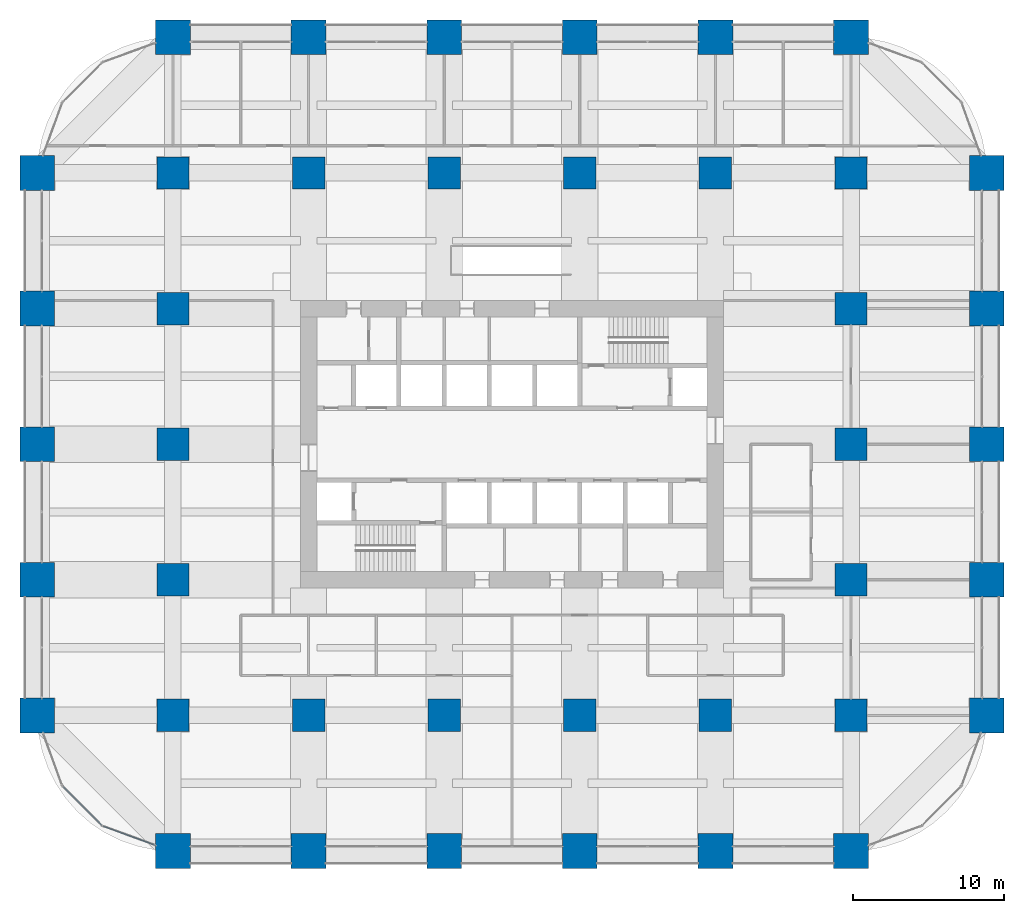
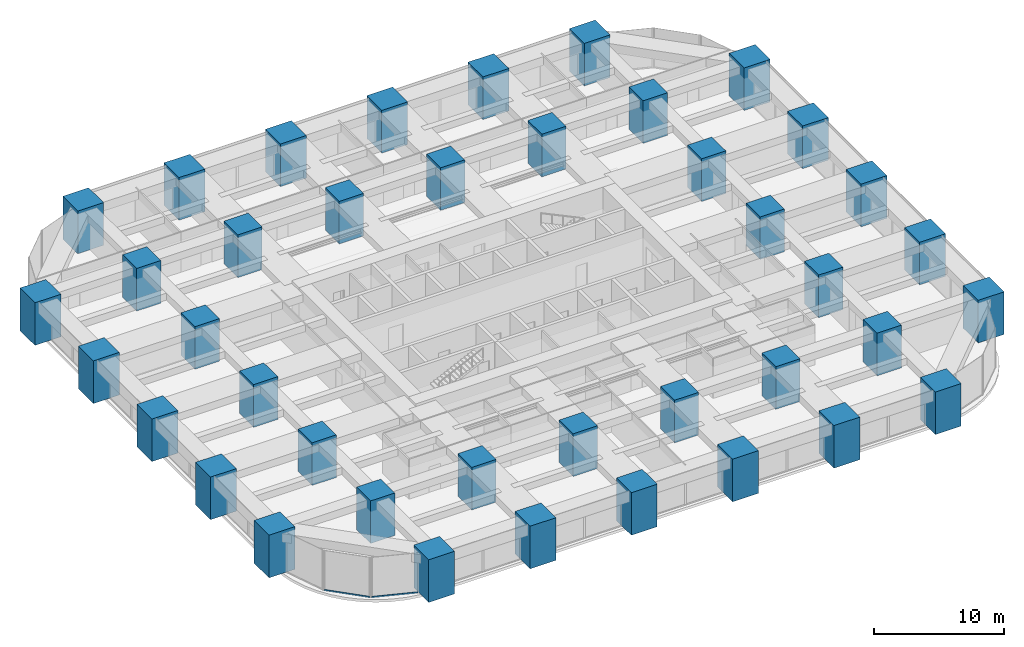
# One storey, part 1 of 44: 40 columns, 2 members, 2 elements without a shape of their own.
"""IFC4 building model written with IfcOpenShell, lengths in metres."""

from ifc_helpers import new_model, si_unit, direction, frame, origin, origin_2d, place, context, subcontext, project, spatial, rectangle, hollow_rectangle, extrude, material, material_profile, profile_set, type_object, element, aggregate, save


model = new_model("IFC4")

# Units and contexts
model_context = context("Model", 3, precision=1e-05, world=origin(), true_north=direction((0.0, 1.0)))
body_context = subcontext(model_context, "Body", "Model", "MODEL_VIEW")
ifc_project = project(units=[si_unit("LENGTHUNIT", "METRE"), si_unit("AREAUNIT", "SQUARE_METRE"), si_unit("VOLUMEUNIT", "CUBIC_METRE"), si_unit("PLANEANGLEUNIT", "RADIAN"), si_unit("MASSUNIT", "GRAM", prefix="KILO")], contexts=[model_context])

# Site, building, storey
site_placement = place(None, origin())
site = spatial("IfcSite", under=ifc_project, at=site_placement, CompositionType="ELEMENT")
building_placement = place(site_placement, origin())
building = spatial("IfcBuilding", under=site, at=building_placement, Name="Zorevar Civic Tower", CompositionType="ELEMENT")
storey_placement = place(building_placement, frame((0.0, 0.0, 63.800048828125)))
storey = spatial("IfcBuildingStorey", under=building, at=storey_placement, Name="L15", CompositionType="ELEMENT", Elevation=63.800048828125)

# Columns
ifc_material_1 = material(Name="Concrete C50/60", Category="concrete")
ifc_material_profile_1 = material_profile(ifc_material_1, rectangle(XDim=2.14990234375, YDim=2.14990234375, at=origin_2d()), Name="RC 2150x2150")
ifc_profile_set_1 = profile_set([ifc_material_profile_1], Name="Concrete C50/60")
column_type_1 = type_object("IfcColumnType", Name="Column RC 2150x2150", PredefinedType="COLUMN", material=ifc_profile_set_1)
for number, where, z_axis, x_axis, name in (
    (1, (9.0, 9.0, 0.0), (0.0, 0.0, 1.0), (1.0, 0.0, 0.0), "Column 3B L15"),
    (2, (9.0, 18.0, 0.0), (0.0, 0.0, 1.0), (1.0, 0.0, 0.0), "Column 3C L15"),
    (3, (9.0, 27.0, 0.0), (0.0, 0.0, 1.0), (1.0, 0.0, 0.0), "Column 3D L15"),
    (4, (9.0, 36.0, 0.0), (0.0, 0.0, 1.0), (1.0, 0.0, 0.0), "Column 3E L15"),
    (5, (9.0, 45.0, 0.0), (0.0, 0.0, 1.0), (1.0, 0.0, 0.0), "Column 3F L15"),
    (6, (18.0, 9.0, 0.0), (0.0, 0.0, 1.0), (1.0, 0.0, 0.0), "Column 4B L15"),
    (7, (18.0, 45.0, 0.0), (0.0, 0.0, 1.0), (1.0, 0.0, 0.0), "Column 4F L15"),
    (8, (27.0, 9.0, 0.0), (0.0, 0.0, 1.0), (1.0, 0.0, 0.0), "Column 5B L15"),
    (9, (27.0, 45.0, 0.0), (0.0, 0.0, 1.0), (1.0, 0.0, 0.0), "Column 5F L15"),
    (10, (36.0, 9.0, 0.0), (0.0, 0.0, 1.0), (1.0, 0.0, 0.0), "Column 6B L15"),
    (11, (36.0, 45.0, 0.0), (0.0, 0.0, 1.0), (1.0, 0.0, 0.0), "Column 6F L15"),
    (12, (45.0, 9.0, 0.0), (0.0, 0.0, 1.0), (1.0, 0.0, 0.0), "Column 7B L15"),
    (13, (45.0, 45.0, 0.0), (0.0, 0.0, 1.0), (1.0, 0.0, 0.0), "Column 7F L15"),
    (14, (54.0, 9.0, 0.0), (0.0, 0.0, 1.0), (1.0, 0.0, 0.0), "Column 8B L15"),
    (15, (54.0, 18.0, 0.0), (0.0, 0.0, 1.0), (1.0, 0.0, 0.0), "Column 8C L15"),
    (16, (54.0, 27.0, 0.0), (0.0, 0.0, 1.0), (1.0, 0.0, 0.0), "Column 8D L15"),
    (17, (54.0, 36.0, 0.0), (0.0, 0.0, 1.0), (1.0, 0.0, 0.0), "Column 8E L15"),
    (18, (54.0, 45.0, 0.0), (0.0, 0.0, 1.0), (1.0, 0.0, 0.0), "Column 8F L15"),
):
    element("IfcColumn", number, at=place(storey_placement, frame(where, z_axis=z_axis, x_axis=x_axis)), inside=storey, type_object=column_type_1, Name=name, PredefinedType="COLUMN", context=body_context, shape_type="SweptSolid", body=[
        extrude(rectangle(XDim=2.14990234375, YDim=2.14990234375, at=origin_2d()), origin(), (0.0, 0.0, 1.0), 4.0),
    ])
ifc_material_2 = material(Name="Concrete C50/60", Category="concrete")
ifc_material_profile_2 = material_profile(ifc_material_2, rectangle(XDim=2.300048828125, YDim=2.300048828125, at=origin_2d()), Name="RC 2300x2300")
ifc_profile_set_2 = profile_set([ifc_material_profile_2], Name="Concrete C50/60")
column_type_2 = type_object("IfcColumnType", Name="Column RC 2300x2300", PredefinedType="COLUMN", material=ifc_profile_set_2)
for number, where, z_axis, x_axis, name in (
    (19, (0.0, 9.0, 0.0), (0.0, 0.0, 1.0), (1.0, 0.0, 0.0), "Column 2B L15"),
    (20, (0.0, 18.0, 0.0), (0.0, 0.0, 1.0), (1.0, 0.0, 0.0), "Column 2C L15"),
    (21, (0.0, 27.0, 0.0), (0.0, 0.0, 1.0), (1.0, 0.0, 0.0), "Column 2D L15"),
    (22, (0.0, 36.0, 0.0), (0.0, 0.0, 1.0), (1.0, 0.0, 0.0), "Column 2E L15"),
    (23, (0.0, 45.0, 0.0), (0.0, 0.0, 1.0), (1.0, 0.0, 0.0), "Column 2F L15"),
    (24, (9.0, 0.0, 0.0), (0.0, 0.0, 1.0), (1.0, 0.0, 0.0), "Column 3A L15"),
    (25, (9.0, 54.0, 0.0), (0.0, 0.0, 1.0), (1.0, 0.0, 0.0), "Column 3G L15"),
    (26, (18.0, 0.0, 0.0), (0.0, 0.0, 1.0), (1.0, 0.0, 0.0), "Column 4A L15"),
    (27, (18.0, 54.0, 0.0), (0.0, 0.0, 1.0), (1.0, 0.0, 0.0), "Column 4G L15"),
    (28, (27.0, 0.0, 0.0), (0.0, 0.0, 1.0), (1.0, 0.0, 0.0), "Column 5A L15"),
    (29, (27.0, 54.0, 0.0), (0.0, 0.0, 1.0), (1.0, 0.0, 0.0), "Column 5G L15"),
    (30, (36.0, 0.0, 0.0), (0.0, 0.0, 1.0), (1.0, 0.0, 0.0), "Column 6A L15"),
    (31, (36.0, 54.0, 0.0), (0.0, 0.0, 1.0), (1.0, 0.0, 0.0), "Column 6G L15"),
    (32, (45.0, 0.0, 0.0), (0.0, 0.0, 1.0), (1.0, 0.0, 0.0), "Column 7A L15"),
    (33, (45.0, 54.0, 0.0), (0.0, 0.0, 1.0), (1.0, 0.0, 0.0), "Column 7G L15"),
    (34, (54.0, 0.0, 0.0), (0.0, 0.0, 1.0), (1.0, 0.0, 0.0), "Column 8A L15"),
    (35, (54.0, 54.0, 0.0), (0.0, 0.0, 1.0), (1.0, 0.0, 0.0), "Column 8G L15"),
    (36, (63.0, 9.0, 0.0), (0.0, 0.0, 1.0), (1.0, 0.0, 0.0), "Column 9B L15"),
    (37, (63.0, 18.0, 0.0), (0.0, 0.0, 1.0), (1.0, 0.0, 0.0), "Column 9C L15"),
    (38, (63.0, 27.0, 0.0), (0.0, 0.0, 1.0), (1.0, 0.0, 0.0), "Column 9D L15"),
    (39, (63.0, 36.0, 0.0), (0.0, 0.0, 1.0), (1.0, 0.0, 0.0), "Column 9E L15"),
    (40, (63.0, 45.0, 0.0), (0.0, 0.0, 1.0), (1.0, 0.0, 0.0), "Column 9F L15"),
):
    element("IfcColumn", number, at=place(storey_placement, frame(where, z_axis=z_axis, x_axis=x_axis)), inside=storey, type_object=column_type_2, Name=name, PredefinedType="COLUMN", context=body_context, shape_type="SweptSolid", body=[
        extrude(rectangle(XDim=2.300048828125, YDim=2.300048828125, at=origin_2d()), origin(), (0.0, 0.0, 1.0), 4.0),
    ])

# Curtain wall, member
ifc_material_3 = material(Name="Dark grey solar-control glass in black aluminium frame", Category="aluminium")
curtain_wall_type = type_object("IfcCurtainWallType", Name="Curtain wall CW2 low zone", PredefinedType="NOTDEFINED", material=ifc_material_3)
curtain_wall_1_placement = place(storey_placement, origin())
curtain_wall_1 = element("IfcCurtainWall", 41, at=curtain_wall_1_placement, inside=storey, type_object=curtain_wall_type, Name="CW2 L15", PredefinedType="NOTDEFINED")
ifc_material_4 = material(Name="Aluminium, black anodised", Category="aluminium")
ifc_material_profile_3 = material_profile(ifc_material_4, hollow_rectangle(XDim=0.06005859375, YDim=0.14990234375, WallThickness=0.00390625, at=origin_2d()), Name="AL 150x60x4")
ifc_profile_set_3 = profile_set([ifc_material_profile_3], Name="Aluminium, black anodised")
member_type = type_object("IfcMemberType", Name="CW2 transom AL 150x60x4", PredefinedType="USERDEFINED", material=ifc_profile_set_3)
member_1_placement = place(storey_placement, frame((1.70751953125, 4.279052734375, 0.030029296875), z_axis=(0.707106781187, -0.707106781187, 0.0), x_axis=(0.707106781187, 0.707106781187, 0.0)))
member_1 = element("IfcMember", 42, at=member_1_placement, type_object=member_type, Name="CW2 sill transom", ObjectType="TRANSOM", PredefinedType="USERDEFINED", context=body_context, shape_type="SweptSolid", body=[
    extrude(hollow_rectangle(XDim=0.06005859375, YDim=0.14990234375, WallThickness=0.00390625, at=origin_2d()), origin(), (0.0, 0.0, 1.0), 3.63671875),
])
aggregate(curtain_wall_1, [member_1])

curtain_wall_2_placement = place(storey_placement, origin())
curtain_wall_2 = element("IfcCurtainWall", 43, at=curtain_wall_2_placement, inside=storey, type_object=curtain_wall_type, Name="CW2 L15", PredefinedType="NOTDEFINED")
member_2_placement = place(storey_placement, frame((4.377685546875, 1.64453125, 0.030029296875), z_axis=(0.939318180432, -0.343047162808, 0.0), x_axis=(0.343047162808, 0.939318180432, 0.0)))
member_2 = element("IfcMember", 44, at=member_2_placement, type_object=member_type, Name="CW2 sill transom", ObjectType="TRANSOM", PredefinedType="USERDEFINED", context=body_context, shape_type="SweptSolid", body=[
    extrude(hollow_rectangle(XDim=0.06005859375, YDim=0.14990234375, WallThickness=0.00390625, at=origin_2d()), origin(), (0.0, 0.0, 1.0), 3.63671875),
])
aggregate(curtain_wall_2, [member_2])

save(model, "model.ifc")
